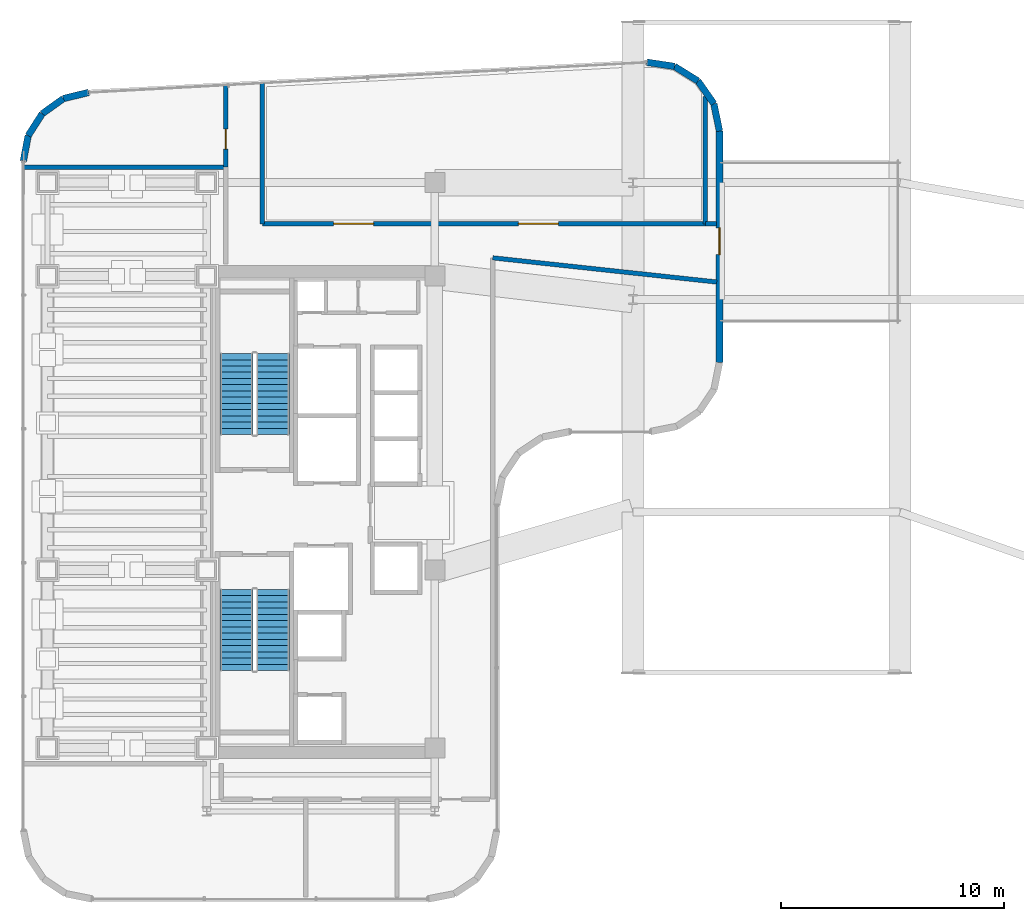
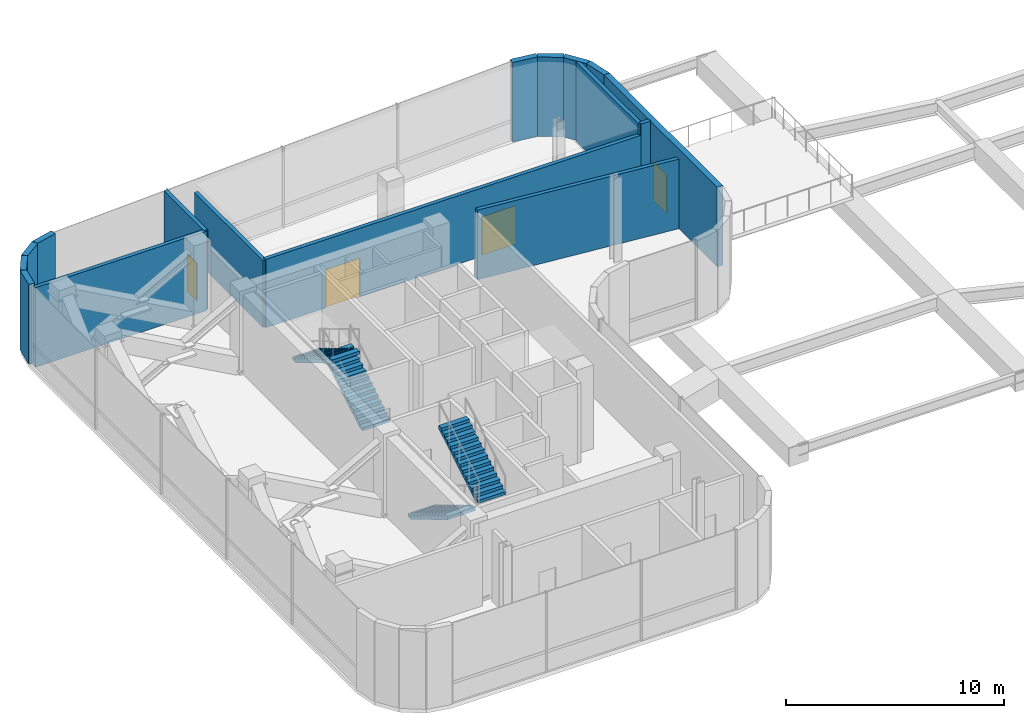
# One storey, part 18 of 20: 16 walls, 4 doors, 4 stair flights, 4 openings, 2 elements without a shape of their own.
"""IFC4 building model written with IfcOpenShell, lengths in metres."""

from ifc_helpers import new_model, si_unit, direction, frame, frame_2d, origin, place, context, subcontext, project, spatial, polyline, rectangle, outline, extrude, material, layer, layer_set, type_object, element, fill, aggregate, save


model = new_model("IFC4")

# Units and contexts
model_context = context("Model", 3, precision=1e-05, world=origin(), true_north=direction((0.0, 1.0)))
body_context = subcontext(model_context, "Body", "Model", "MODEL_VIEW")
ifc_project = project(units=[si_unit("LENGTHUNIT", "METRE"), si_unit("AREAUNIT", "SQUARE_METRE"), si_unit("VOLUMEUNIT", "CUBIC_METRE"), si_unit("PLANEANGLEUNIT", "RADIAN"), si_unit("MASSUNIT", "GRAM", prefix="KILO")], contexts=[model_context])

# Site, building, storey
site_placement = place(None, origin())
site = spatial("IfcSite", under=ifc_project, at=site_placement, CompositionType="ELEMENT")
building_placement = place(site_placement, origin())
building = spatial("IfcBuilding", under=site, at=building_placement, Name="Valdorenza Pilgrim Sanctuary Tower", CompositionType="ELEMENT")
storey_placement = place(building_placement, frame((0.0, 0.0, 196.300048828125)))
storey = spatial("IfcBuildingStorey", under=building, at=storey_placement, Name="L50", CompositionType="ELEMENT", Elevation=196.300048828125)

# Walls
ifc_material_1 = material(Name="Honed travertine limestone", Category="masonry")
ifc_layer_1 = layer(ifc_material_1, 0.300048828125, Name="Honed travertine limestone")
ifc_layer_set_1 = layer_set([ifc_layer_1], Name="Honed travertine limestone")
wall_type_1 = type_object("IfcWallType", Name="WAL-EXT-300", PredefinedType="SOLIDWALL", material=ifc_layer_set_1)
wall_1_placement = place(storey_placement, frame((-30.889892578125, 15.757568359375, 0.0), z_axis=(0.0, 0.0, 1.0), x_axis=(0.18831542659, 0.982108598938, 0.0)))
element("IfcWall", 1, at=wall_1_placement, inside=storey, type_object=wall_type_1, Name="L50 Rounded Wind-Corner Stone Pier 2", PredefinedType="SOLIDWALL", context=body_context, shape_type="SweptSolid", body=[
    extrude(rectangle(XDim=1.174560546875, YDim=0.300048828125, at=frame_2d((0.58740234375, 0.0))), origin(), (0.0, 0.0, 1.0), 4.4599609375),
])
wall_2_placement = place(storey_placement, frame((-30.668701171875, 16.9111328125, 0.0), z_axis=(0.0, 0.0, 1.0), x_axis=(0.538678781902, 0.84251122837, 0.0)))
element("IfcWall", 2, at=wall_2_placement, inside=storey, type_object=wall_type_1, Name="L50 Rounded Wind-Corner Stone Pier 3", PredefinedType="SOLIDWALL", context=body_context, shape_type="SweptSolid", body=[
    extrude(rectangle(XDim=1.164306640625, YDim=0.300048828125, at=frame_2d((0.58203125, 0.0))), origin(), (0.0, 0.0, 1.0), 4.4599609375),
])
wall_3_placement = place(storey_placement, frame((-30.04150390625, 17.89208984375, 0.0), z_axis=(0.0, 0.0, 1.0), x_axis=(0.812313539683, 0.583220981487, 0.0)))
element("IfcWall", 3, at=wall_3_placement, inside=storey, type_object=wall_type_1, Name="L50 Rounded Wind-Corner Stone Pier 4", PredefinedType="SOLIDWALL", context=body_context, shape_type="SweptSolid", body=[
    extrude(rectangle(XDim=1.163818359375, YDim=0.300048828125, at=frame_2d((0.58203125, 0.0))), origin(), (0.0, 0.0, 1.0), 4.4599609375),
])
wall_4_placement = place(storey_placement, frame((-29.09619140625, 18.57080078125, 0.0), z_axis=(0.0, 0.0, 1.0), x_axis=(0.97050812798, 0.241068400098, 0.0)))
element("IfcWall", 4, at=wall_4_placement, inside=storey, type_object=wall_type_1, Name="L50 Rounded Wind-Corner Stone Pier 5", PredefinedType="SOLIDWALL", context=body_context, shape_type="SweptSolid", body=[
    extrude(rectangle(XDim=1.1748046875, YDim=0.300048828125, at=frame_2d((0.58740234375, 0.0))), origin(), (0.0, 0.0, 1.0), 4.4599609375),
])
wall_5_placement = place(storey_placement, frame((-2.877685546875, 20.20751953125, 0.0), z_axis=(0.0, 0.0, 1.0), x_axis=(0.988902138571, -0.148568369208, 0.0)))
element("IfcWall", 5, at=wall_5_placement, inside=storey, type_object=wall_type_1, Name="L50 Rounded Wind-Corner Stone Pier 7", PredefinedType="SOLIDWALL", context=body_context, shape_type="SweptSolid", body=[
    extrude(rectangle(XDim=1.257080078125, YDim=0.300048828125, at=frame_2d((0.62841796875, 0.0))), origin(), (0.0, 0.0, 1.0), 4.4599609375),
])
wall_6_placement = place(storey_placement, frame((-1.634521484375, 20.020751953125, 0.0), z_axis=(0.0, 0.0, 1.0), x_axis=(0.849646224094, -0.52735310171, 0.0)))
element("IfcWall", 6, at=wall_6_placement, inside=storey, type_object=wall_type_1, Name="L50 Rounded Wind-Corner Stone Pier 8", PredefinedType="SOLIDWALL", context=body_context, shape_type="SweptSolid", body=[
    extrude(rectangle(XDim=1.245361328125, YDim=0.300048828125, at=frame_2d((0.62255859375, 0.0))), origin(), (0.0, 0.0, 1.0), 4.4599609375),
])
wall_7_placement = place(storey_placement, frame((-0.576416015625, 19.364013671875, 0.0), z_axis=(0.0, 0.0, 1.0), x_axis=(0.572304219931, -0.820041389107, 0.0)))
element("IfcWall", 7, at=wall_7_placement, inside=storey, type_object=wall_type_1, Name="L50 Rounded Wind-Corner Stone Pier 9", PredefinedType="SOLIDWALL", context=body_context, shape_type="SweptSolid", body=[
    extrude(rectangle(XDim=1.24560546875, YDim=0.300048828125, at=frame_2d((0.622802734375, 0.0))), origin(), (0.0, 0.0, 1.0), 4.4599609375),
])
wall_8_placement = place(storey_placement, frame((0.136474609375, 18.342529296875, 0.0), z_axis=(0.0, 0.0, 1.0), x_axis=(0.201603599025, -0.979467196419, 0.0)))
element("IfcWall", 8, at=wall_8_placement, inside=storey, type_object=wall_type_1, Name="L50 Rounded Wind-Corner Stone Pier 10", PredefinedType="SOLIDWALL", context=body_context, shape_type="SweptSolid", body=[
    extrude(rectangle(XDim=1.257080078125, YDim=0.300048828125, at=frame_2d((0.62841796875, 0.0))), origin(), (0.0, 0.0, 1.0), 4.4599609375),
])

# Wall, opening, door
wall_9_placement = place(storey_placement, frame((0.389892578125, 17.111328125, 0.0), z_axis=(0.0, 0.0, 1.0), x_axis=(0.0, -1.0, 0.0)))
wall_9 = element("IfcWall", 9, at=wall_9_placement, inside=storey, type_object=wall_type_1, Name="L50 Outdoor Terrace Access Stone Wall", PredefinedType="SOLIDWALL", context=body_context, shape_type="SweptSolid", body=[
    extrude(rectangle(XDim=10.400634765625, YDim=0.300048828125, at=frame_2d((5.2001953125, 0.0))), origin(), (0.0, 0.0, 1.0), 4.4599609375),
])
opening_1_placement = place(wall_9_placement, frame((4.35009765625, 0.0, 0.0)))
opening_1 = element("IfcOpeningElement", 10, at=opening_1_placement, cuts=wall_9, Name="Opening DR-TR1", PredefinedType="OPENING", context=body_context, shape_type="SweptSolid", body=[
    extrude(rectangle(XDim=1.199951171875, YDim=2.14990234375, at=frame_2d((0.60009765625, 1.074951171875))), frame((0.0, 0.1650390625, 0.0), z_axis=(0.0, -1.0, 0.0), x_axis=(1.0, 0.0, 0.0)), (0.0, 0.0, 1.0), 0.329833984375),
])
ifc_material_2 = material(Name="Champagne anodised aluminium and glass", Category="aluminium")
door_type_1 = type_object("IfcDoorType", Name="DR-TER-1200", OperationType="NOTDEFINED", PredefinedType="DOOR", material=ifc_material_2)
door_1_placement = place(opening_1_placement, origin())
door_1 = element("IfcDoor", 11, at=door_1_placement, inside=storey, type_object=door_type_1, Name="L50 Railed Outdoor Terrace Access Door", OperationType="SINGLE_SWING_LEFT", OverallHeight=2.14990234375, OverallWidth=1.199951171875, PredefinedType="DOOR", context=body_context, shape_type="SweptSolid", body=[
    extrude(rectangle(XDim=1.199951171875, YDim=2.14990234375, at=frame_2d((0.60009765625, 1.074951171875))), frame((0.0, 0.02490234375, 0.0), z_axis=(0.0, -1.0, 0.0), x_axis=(1.0, 0.0, 0.0)), (0.0, 0.0, 1.0), 0.050048828125),
])
fill(opening_1, door_1)

# Wall
ifc_material_3 = material(Name="Gypsum shaftwall partition", Category="gypsum")
ifc_layer_2 = layer(ifc_material_3, 0.199951171875, Name="Gypsum shaftwall partition")
ifc_layer_set_2 = layer_set([ifc_layer_2], Name="Gypsum shaftwall partition")
wall_type_2 = type_object("IfcWallType", Name="WAL-FFL-200", PredefinedType="PARTITIONING", material=ifc_layer_set_2)
wall_10_placement = place(storey_placement, frame((-30.889892578125, 15.5, 0.0), z_axis=(0.0, 0.0, 1.0), x_axis=(1.0, 0.0, 0.0)))
element("IfcWall", 12, at=wall_10_placement, inside=storey, type_object=wall_type_2, Name="L50 L50 Outrigger Bay North Wall", PredefinedType="PARTITIONING", context=body_context, shape_type="SweptSolid", body=[
    extrude(rectangle(XDim=9.08984375, YDim=0.199951171875, at=frame_2d((4.544921875, 0.0))), origin(), (0.0, 0.0, 1.0), 4.4599609375),
])

# Wall, opening, door
wall_11_placement = place(storey_placement, frame((-21.800048828125, 15.5, 0.0), z_axis=(0.0, 0.0, 1.0), x_axis=(0.0, 1.0, 0.0)))
wall_11 = element("IfcWall", 13, at=wall_11_placement, inside=storey, type_object=wall_type_2, Name="L50 L50 NW Plant East Wall", PredefinedType="PARTITIONING", context=body_context, shape_type="SweptSolid", body=[
    extrude(rectangle(XDim=3.686279296875, YDim=0.199951171875, at=frame_2d((1.84326171875, 0.0))), origin(), (0.0, 0.0, 1.0), 4.4599609375),
])
opening_2_placement = place(wall_11_placement, frame((0.800048828125, 0.0, 0.0)))
opening_2 = element("IfcOpeningElement", 14, at=opening_2_placement, cuts=wall_11, Name="Opening DR-RM1", PredefinedType="OPENING", context=body_context, shape_type="SweptSolid", body=[
    extrude(rectangle(XDim=0.89990234375, YDim=2.10009765625, at=frame_2d((0.449951171875, 1.050048828125))), frame((0.0, 0.11474609375, 0.0), z_axis=(0.0, -1.0, 0.0), x_axis=(1.0, 0.0, 0.0)), (0.0, 0.0, 1.0), 0.229736328125),
])
ifc_material_4 = material(Name="Solid-core European oak timber", Category="wood")
door_type_2 = type_object("IfcDoorType", Name="DR-ROOM-900", OperationType="NOTDEFINED", PredefinedType="DOOR", material=ifc_material_4)
door_2_placement = place(opening_2_placement, origin())
door_2 = element("IfcDoor", 15, at=door_2_placement, inside=storey, type_object=door_type_2, Name="L50 L50 Stair Pressurisation Fan Plant Room Door", OperationType="SINGLE_SWING_RIGHT", OverallHeight=2.10009765625, OverallWidth=0.89990234375, PredefinedType="DOOR", context=body_context, shape_type="SweptSolid", body=[
    extrude(rectangle(XDim=0.89990234375, YDim=2.10009765625, at=frame_2d((0.449951171875, 1.050048828125))), frame((0.0, 0.02490234375, 0.0), z_axis=(0.0, -1.0, 0.0), x_axis=(1.0, 0.0, 0.0)), (0.0, 0.0, 1.0), 0.050048828125),
])
fill(opening_2, door_2)

# Wall, openings, doors
wall_12_placement = place(storey_placement, frame((-20.14990234375, 12.949951171875, 0.0), z_axis=(0.0, 0.0, 1.0), x_axis=(1.0, 0.0, 0.0)))
wall_12 = element("IfcWall", 16, at=wall_12_placement, inside=storey, type_object=wall_type_2, Name="L50 Primary Refuge South Wall", PredefinedType="PARTITIONING", context=body_context, shape_type="SweptSolid", body=[
    extrude(rectangle(XDim=19.89990234375, YDim=0.199951171875, at=frame_2d((9.949951171875, 0.0))), origin(), (0.0, 0.0, 1.0), 3.833984375),
])
opening_3_placement = place(wall_12_placement, frame((3.199951171875, 0.0, 0.0)))
opening_3 = element("IfcOpeningElement", 17, at=opening_3_placement, cuts=wall_12, Name="Opening DR-HL1", PredefinedType="OPENING", context=body_context, shape_type="SweptSolid", body=[
    extrude(rectangle(XDim=1.800048828125, YDim=2.14990234375, at=frame_2d((0.89990234375, 1.074951171875))), frame((0.0, 0.11474609375, 0.0), z_axis=(0.0, -1.0, 0.0), x_axis=(1.0, 0.0, 0.0)), (0.0, 0.0, 1.0), 0.229736328125),
])
opening_4_placement = place(wall_12_placement, frame((11.5, 0.0, 0.0)))
opening_4 = element("IfcOpeningElement", 18, at=opening_4_placement, cuts=wall_12, Name="Opening DR-HL1", PredefinedType="OPENING", context=body_context, shape_type="SweptSolid", body=[
    extrude(rectangle(XDim=1.800048828125, YDim=2.14990234375, at=frame_2d((0.89990234375, 1.074951171875))), frame((0.0, 0.11474609375, 0.0), z_axis=(0.0, -1.0, 0.0), x_axis=(1.0, 0.0, 0.0)), (0.0, 0.0, 1.0), 0.229736328125),
])
ifc_material_5 = material(Name="Acoustic oak and vision-glass double door", Category="glass")
door_type_3 = type_object("IfcDoorType", Name="DR-HALL-1800", OperationType="NOTDEFINED", PredefinedType="DOOR", material=ifc_material_5)
door_3_placement = place(opening_3_placement, frame((1.800048828125, 0.0, 0.0), z_axis=(0.0, 0.0, 1.0), x_axis=(-1.0, 0.0, 0.0)))
door_3 = element("IfcDoor", 19, at=door_3_placement, inside=storey, type_object=door_type_3, Name="L50 Primary Smokeproof Refuge Area West Double Door", OperationType="DOUBLE_DOOR_SINGLE_SWING", OverallHeight=2.14990234375, OverallWidth=1.800048828125, PredefinedType="DOOR", context=body_context, shape_type="SweptSolid", body=[
    extrude(rectangle(XDim=1.800048828125, YDim=2.14990234375, at=frame_2d((0.89990234375, 1.074951171875))), frame((0.0, 0.02490234375, 0.0), z_axis=(0.0, -1.0, 0.0), x_axis=(1.0, 0.0, 0.0)), (0.0, 0.0, 1.0), 0.050048828125),
])
fill(opening_3, door_3)
door_4_placement = place(opening_4_placement, origin())
door_4 = element("IfcDoor", 20, at=door_4_placement, inside=storey, type_object=door_type_3, Name="L50 Primary Smokeproof Refuge Area East Double Door", OperationType="DOUBLE_DOOR_SINGLE_SWING", OverallHeight=2.14990234375, OverallWidth=1.800048828125, PredefinedType="DOOR", context=body_context, shape_type="SweptSolid", body=[
    extrude(rectangle(XDim=1.800048828125, YDim=2.14990234375, at=frame_2d((0.89990234375, 1.074951171875))), frame((0.0, 0.02490234375, 0.0), z_axis=(0.0, -1.0, 0.0), x_axis=(1.0, 0.0, 0.0)), (0.0, 0.0, 1.0), 0.050048828125),
])
fill(opening_4, door_4)

# Walls
wall_13_placement = place(storey_placement, frame((-20.14990234375, 12.949951171875, 0.0), z_axis=(0.0, 0.0, 1.0), x_axis=(0.0, 1.0, 0.0)))
element("IfcWall", 21, at=wall_13_placement, inside=storey, type_object=wall_type_2, Name="L50 Primary Refuge West Wall", PredefinedType="PARTITIONING", context=body_context, shape_type="SweptSolid", body=[
    extrude(rectangle(XDim=6.325439453125, YDim=0.199951171875, at=frame_2d((3.16259765625, 0.0))), origin(), (0.0, 0.0, 1.0), 3.743896484375),
])
wall_14_placement = place(storey_placement, frame((-0.25, 12.949951171875, 0.0), z_axis=(0.0, 0.0, 1.0), x_axis=(0.0, 1.0, 0.0)))
element("IfcWall", 22, at=wall_14_placement, inside=storey, type_object=wall_type_2, Name="L50 Primary Refuge East Wall", PredefinedType="PARTITIONING", context=body_context, shape_type="SweptSolid", body=[
    extrude(rectangle(XDim=5.72802734375, YDim=0.199951171875, at=frame_2d((2.864013671875, 0.0))), origin(), (0.0, 0.0, 1.0), 4.4599609375),
])
wall_15_placement = place(storey_placement, frame((-9.800048828125, 11.419921875, 0.0), z_axis=(0.0, 0.0, 1.0), x_axis=(0.994224725298, -0.107318197923, 0.0)))
element("IfcWall", 23, at=wall_15_placement, inside=storey, type_object=wall_type_2, Name="L50 L50 North Corridor South Wall", PredefinedType="PARTITIONING", context=body_context, shape_type="SweptSolid", body=[
    extrude(rectangle(XDim=10.123291015625, YDim=0.199951171875, at=frame_2d((5.0615234375, 0.0))), origin(), (0.0, 0.0, 1.0), 3.906005859375),
])
wall_16_placement = place(storey_placement, frame((-0.25, 12.949951171875, 0.0), z_axis=(0.0, 0.0, 1.0), x_axis=(1.0, 0.0, 0.0)))
element("IfcWall", 24, at=wall_16_placement, inside=storey, type_object=wall_type_2, Name="L50 L50 Terrace Vestibule North Wall", PredefinedType="PARTITIONING", context=body_context, shape_type="SweptSolid", body=[
    extrude(rectangle(XDim=0.514892578125, YDim=0.199951171875, at=frame_2d((0.25732421875, 0.0))), origin(), (0.0, 0.0, 1.0), 4.4599609375),
])

# Stair, stair flights
ifc_material_6 = material(Name="Concrete C40/50", Category="concrete")
stair_type = type_object("IfcStairType", Name="STR-DOG-CORE", PredefinedType="HALF_TURN_STAIR", material=ifc_material_6)
stair_1_placement = place(storey_placement, origin())
stair_1 = element("IfcStair", 25, at=stair_1_placement, inside=storey, type_object=stair_type, Name="L50 ST-A1", PredefinedType="HALF_TURN_STAIR")
stair_flight_type = type_object("IfcStairFlightType", Name="STF-RC-1400", PredefinedType="STRAIGHT", material=ifc_material_6)
stair_flight_1_placement = place(storey_placement, frame((-19.679931640625, 3.47998046875, 0.0), z_axis=(0.0, 0.0, 1.0), x_axis=(0.0, 1.0, 0.0)))
stair_flight_1 = element("IfcStairFlight", 26, at=stair_flight_1_placement, type_object=stair_flight_type, Name="ST-A1 flight 1", NumberOfRisers=14, NumberOfTreads=13, PredefinedType="STRAIGHT", RiserHeight=0.167857143, TreadLength=0.28, context=body_context, shape_type="SweptSolid", body=[
    extrude(outline(polyline([(0.0, 0.0), (0.0, 0.16796875), (0.280029296875, 0.16796875), (0.280029296875, 0.335693359375), (0.56005859375, 0.335693359375), (0.56005859375, 0.503662109375), (0.840087890625, 0.503662109375), (0.840087890625, 0.67138671875), (1.1201171875, 0.67138671875), (1.1201171875, 0.83935546875), (1.39990234375, 0.83935546875), (1.39990234375, 1.007080078125), (1.679931640625, 1.007080078125), (1.679931640625, 1.175048828125), (1.9599609375, 1.175048828125), (1.9599609375, 1.3427734375), (2.239990234375, 1.3427734375), (2.239990234375, 1.5107421875), (2.52001953125, 1.5107421875), (2.52001953125, 1.678466796875), (2.800048828125, 1.678466796875), (2.800048828125, 1.846435546875), (3.080078125, 1.846435546875), (3.080078125, 2.014404296875), (3.360107421875, 2.014404296875), (3.360107421875, 2.18212890625), (3.639892578125, 2.18212890625), (3.639892578125, 2.35009765625), (3.639892578125, 2.00732421875), (0.29150390625, 0.0), (0.0, 0.0)])), frame((0.0, 0.739990234375, 0.0), z_axis=(0.0, -1.0, 0.0), x_axis=(1.0, 0.0, 0.0)), (0.0, 0.0, 1.0), 1.47998046875),
])
stair_flight_2_placement = place(storey_placement, frame((-21.31005859375, 7.1201171875, 2.349853515625), z_axis=(0.0, 0.0, 1.0), x_axis=(0.0, -1.0, 0.0)))
stair_flight_2 = element("IfcStairFlight", 27, at=stair_flight_2_placement, type_object=stair_flight_type, Name="ST-A1 flight 2", NumberOfRisers=14, NumberOfTreads=13, PredefinedType="STRAIGHT", RiserHeight=0.167857143, TreadLength=0.28, context=body_context, shape_type="SweptSolid", body=[
    extrude(outline(polyline([(0.0, 0.0), (0.0, 0.16796875), (0.280029296875, 0.16796875), (0.280029296875, 0.335693359375), (0.56005859375, 0.335693359375), (0.56005859375, 0.503662109375), (0.840087890625, 0.503662109375), (0.840087890625, 0.67138671875), (1.1201171875, 0.67138671875), (1.1201171875, 0.83935546875), (1.39990234375, 0.83935546875), (1.39990234375, 1.007080078125), (1.679931640625, 1.007080078125), (1.679931640625, 1.175048828125), (1.9599609375, 1.175048828125), (1.9599609375, 1.3427734375), (2.239990234375, 1.3427734375), (2.239990234375, 1.5107421875), (2.52001953125, 1.5107421875), (2.52001953125, 1.678466796875), (2.800048828125, 1.678466796875), (2.800048828125, 1.846435546875), (3.080078125, 1.846435546875), (3.080078125, 2.014404296875), (3.360107421875, 2.014404296875), (3.360107421875, 2.18212890625), (3.639892578125, 2.18212890625), (3.639892578125, 2.35009765625), (3.639892578125, 2.00732421875), (0.29150390625, 0.0), (0.0, 0.0)])), frame((0.0, 0.739990234375, 0.0), z_axis=(0.0, -1.0, 0.0), x_axis=(1.0, 0.0, 0.0)), (0.0, 0.0, 1.0), 1.47998046875),
])
aggregate(stair_1, [stair_flight_1, stair_flight_2])

stair_2_placement = place(storey_placement, origin())
stair_2 = element("IfcStair", 28, at=stair_2_placement, inside=storey, type_object=stair_type, Name="L50 ST-A2", PredefinedType="HALF_TURN_STAIR")
stair_flight_3_placement = place(storey_placement, frame((-21.31005859375, -3.47998046875, 0.0), z_axis=(0.0, 0.0, 1.0), x_axis=(0.0, -1.0, 0.0)))
stair_flight_3 = element("IfcStairFlight", 29, at=stair_flight_3_placement, type_object=stair_flight_type, Name="ST-A2 flight 1", NumberOfRisers=14, NumberOfTreads=13, PredefinedType="STRAIGHT", RiserHeight=0.167857143, TreadLength=0.28, context=body_context, shape_type="SweptSolid", body=[
    extrude(outline(polyline([(0.0, 0.0), (0.0, 0.16796875), (0.280029296875, 0.16796875), (0.280029296875, 0.335693359375), (0.56005859375, 0.335693359375), (0.56005859375, 0.503662109375), (0.840087890625, 0.503662109375), (0.840087890625, 0.67138671875), (1.1201171875, 0.67138671875), (1.1201171875, 0.83935546875), (1.39990234375, 0.83935546875), (1.39990234375, 1.007080078125), (1.679931640625, 1.007080078125), (1.679931640625, 1.175048828125), (1.9599609375, 1.175048828125), (1.9599609375, 1.3427734375), (2.239990234375, 1.3427734375), (2.239990234375, 1.5107421875), (2.52001953125, 1.5107421875), (2.52001953125, 1.678466796875), (2.800048828125, 1.678466796875), (2.800048828125, 1.846435546875), (3.080078125, 1.846435546875), (3.080078125, 2.014404296875), (3.360107421875, 2.014404296875), (3.360107421875, 2.18212890625), (3.639892578125, 2.18212890625), (3.639892578125, 2.35009765625), (3.639892578125, 2.00732421875), (0.29150390625, 0.0), (0.0, 0.0)])), frame((0.0, 0.739990234375, 0.0), z_axis=(0.0, -1.0, 0.0), x_axis=(1.0, 0.0, 0.0)), (0.0, 0.0, 1.0), 1.47998046875),
])
stair_flight_4_placement = place(storey_placement, frame((-19.679931640625, -7.1201171875, 2.349853515625), z_axis=(0.0, 0.0, 1.0), x_axis=(0.0, 1.0, 0.0)))
stair_flight_4 = element("IfcStairFlight", 30, at=stair_flight_4_placement, type_object=stair_flight_type, Name="ST-A2 flight 2", NumberOfRisers=14, NumberOfTreads=13, PredefinedType="STRAIGHT", RiserHeight=0.167857143, TreadLength=0.28, context=body_context, shape_type="SweptSolid", body=[
    extrude(outline(polyline([(0.0, 0.0), (0.0, 0.16796875), (0.280029296875, 0.16796875), (0.280029296875, 0.335693359375), (0.56005859375, 0.335693359375), (0.56005859375, 0.503662109375), (0.840087890625, 0.503662109375), (0.840087890625, 0.67138671875), (1.1201171875, 0.67138671875), (1.1201171875, 0.83935546875), (1.39990234375, 0.83935546875), (1.39990234375, 1.007080078125), (1.679931640625, 1.007080078125), (1.679931640625, 1.175048828125), (1.9599609375, 1.175048828125), (1.9599609375, 1.3427734375), (2.239990234375, 1.3427734375), (2.239990234375, 1.5107421875), (2.52001953125, 1.5107421875), (2.52001953125, 1.678466796875), (2.800048828125, 1.678466796875), (2.800048828125, 1.846435546875), (3.080078125, 1.846435546875), (3.080078125, 2.014404296875), (3.360107421875, 2.014404296875), (3.360107421875, 2.18212890625), (3.639892578125, 2.18212890625), (3.639892578125, 2.35009765625), (3.639892578125, 2.00732421875), (0.29150390625, 0.0), (0.0, 0.0)])), frame((0.0, 0.739990234375, 0.0), z_axis=(0.0, -1.0, 0.0), x_axis=(1.0, 0.0, 0.0)), (0.0, 0.0, 1.0), 1.47998046875),
])
aggregate(stair_2, [stair_flight_3, stair_flight_4])

save(model, "model.ifc")
